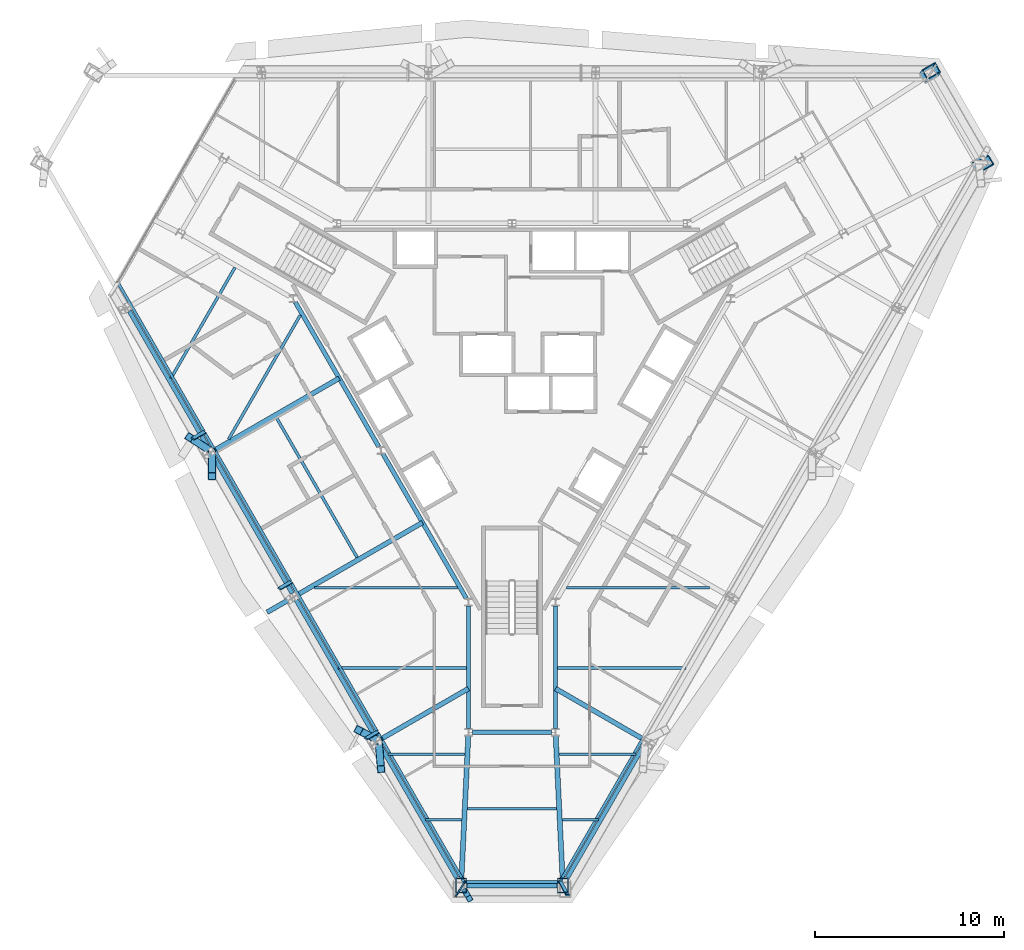
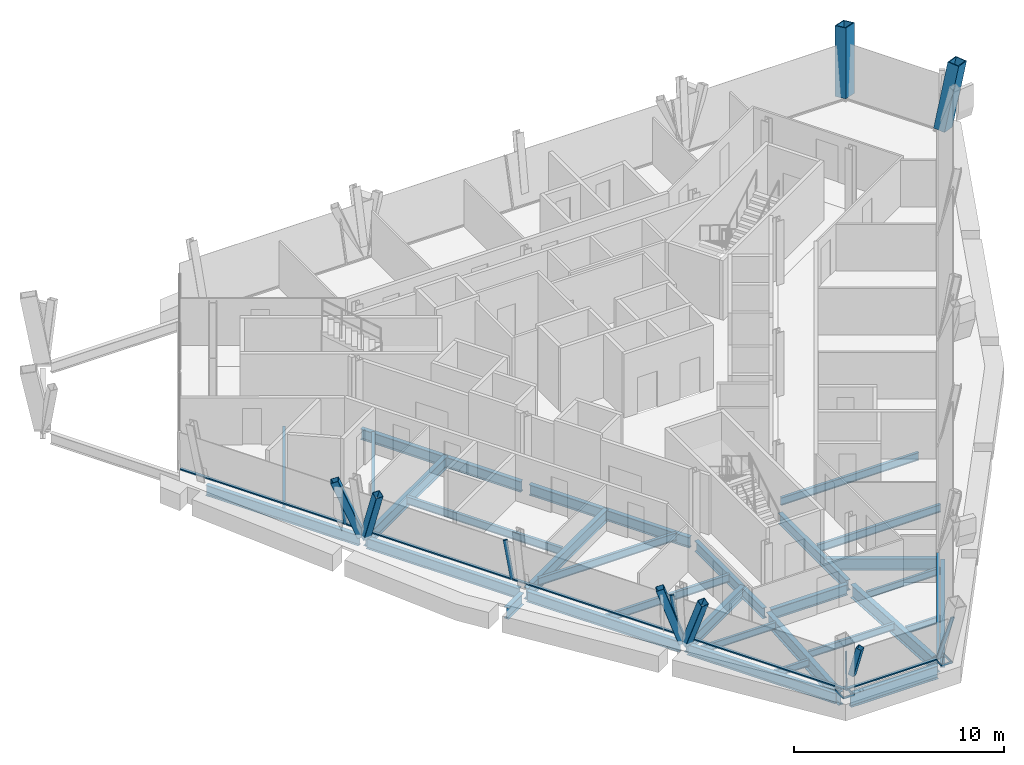
# One storey, part 2 of 11: 30 beams, 18 members, 2 columns, 3 elements without a shape of their own.
"""IFC4 building model written with IfcOpenShell, lengths in metres."""

from ifc_helpers import new_model, si_unit, direction, frame, origin, origin_2d, place, context, subcontext, project, spatial, rectangle, hollow_rectangle, i_section, extrude, material, material_profile, profile_set, type_object, element, aggregate, save


model = new_model("IFC4")

# Units and contexts
model_context = context("Model", 3, precision=1e-05, world=origin(), true_north=direction((0.0, 1.0)))
body_context = subcontext(model_context, "Body", "Model", "MODEL_VIEW")
ifc_project = project(units=[si_unit("LENGTHUNIT", "METRE"), si_unit("AREAUNIT", "SQUARE_METRE"), si_unit("VOLUMEUNIT", "CUBIC_METRE"), si_unit("PLANEANGLEUNIT", "RADIAN"), si_unit("MASSUNIT", "GRAM", prefix="KILO")], contexts=[model_context])

# Site, building, storey
site_placement = place(None, origin())
site = spatial("IfcSite", under=ifc_project, at=site_placement, CompositionType="ELEMENT")
building_placement = place(site_placement, origin())
building = spatial("IfcBuilding", under=site, at=building_placement, Name="Verrane Prism Tower", CompositionType="ELEMENT")
storey_placement = place(building_placement, frame((0.0, 0.0, 232.300048828125)))
storey = spatial("IfcBuildingStorey", under=building, at=storey_placement, Name="L58", CompositionType="ELEMENT", Elevation=232.300048828125)

# Columns
ifc_material_1 = material(Name="Steel A572 Grade 50", Category="steel")
ifc_material_profile_1 = material_profile(ifc_material_1, hollow_rectangle(XDim=0.60009765625, YDim=0.800048828125, WallThickness=0.050048828125, at=origin_2d()), Name="BOX 800x600x50")
ifc_profile_set_1 = profile_set([ifc_material_profile_1], Name="Steel A572 Grade 50")
column_type = type_object("IfcColumnType", Name="Megacolumn BOX 800x600x50", PredefinedType="COLUMN", material=ifc_profile_set_1)
column_1_placement = place(storey_placement, frame((22.037109375, 15.84228515625, 0.06494140625), z_axis=(0.105639145209, 0.18481839067, 0.977078570776), x_axis=(0.496911060929, -0.860913522908, 0.109120592015)))
element("IfcColumn", 1, at=column_1_placement, inside=storey, type_object=column_type, Name="Megacolumn MC-NE.b L58", PredefinedType="COLUMN", context=body_context, shape_type="SweptSolid", body=[
    extrude(hollow_rectangle(XDim=0.60009765625, YDim=0.800048828125, WallThickness=0.050048828125, at=origin_2d()), origin(), (0.0, 0.0, 1.0), 3.65380859375),
])
column_2_placement = place(storey_placement, frame((24.734130859375, 11.159912109375, 0.06494140625), z_axis=(0.213902075885, 0.0, 0.976855107952), x_axis=(0.497026354192, -0.860883256594, -0.108833918219)))
element("IfcColumn", 2, at=column_2_placement, inside=storey, type_object=column_type, Name="Megacolumn MC-NE.a L58", PredefinedType="COLUMN", context=body_context, shape_type="SweptSolid", body=[
    extrude(hollow_rectangle(XDim=0.60009765625, YDim=0.800048828125, WallThickness=0.050048828125, at=origin_2d()), origin(), (0.0, 0.0, 1.0), 3.654541015625),
])

# Member
ifc_material_2 = material(Name="Steel A500 Grade C", Category="steel")
ifc_material_profile_2 = material_profile(ifc_material_2, hollow_rectangle(XDim=0.3046875, YDim=0.3046875, WallThickness=0.0126953125, InnerFilletRadius=0.00634765625, OuterFilletRadius=0.01904296875, at=origin_2d()), Name="HSS12x12x1/2")
ifc_profile_set_2 = profile_set([ifc_material_profile_2], Name="Steel A500 Grade C")
member_type_1 = type_object("IfcMemberType", Name="Chamfer brace HSS12x12x1/2", PredefinedType="BRACE", material=ifc_profile_set_2)
member_1_placement = place(storey_placement, frame((-2.470703125, -27.3125, 1.16650390625), z_axis=(0.124571585122, -0.215181754859, 0.968596269122), x_axis=(0.865439060545, 0.501014203873, 0.0)))
element("IfcMember", 3, at=member_1_placement, inside=storey, type_object=member_type_1, Name="Chamfer brace S0 L58", PredefinedType="BRACE", context=body_context, shape_type="SweptSolid", body=[
    extrude(hollow_rectangle(XDim=0.3046875, YDim=0.3046875, WallThickness=0.0126953125, InnerFilletRadius=0.00634765625, OuterFilletRadius=0.01904296875, at=origin_2d()), origin(), (0.0, 0.0, 1.0), 1.754150390625),
])

# Beams
ifc_material_3 = material(Name="Steel A992", Category="steel")
ifc_material_profile_3 = material_profile(ifc_material_3, i_section(OverallWidth=0.2666015625, OverallDepth=0.7568359375, WebThickness=0.013916015625, FlangeThickness=0.019287109375, FilletRadius=0.0166015625, at=origin_2d()), Name="W30x108")
ifc_profile_set_3 = profile_set([ifc_material_profile_3], Name="Steel A992")
beam_type_1 = type_object("IfcBeamType", Name="Chamfer spandrel beam W30x108", PredefinedType="SPANDREL", material=ifc_profile_set_3)
beam_1_placement = place(storey_placement, frame((-2.389892578125, -26.989990234375, -0.53857421875), z_axis=(1.0, 0.0, 0.0), x_axis=(0.0, 1.0, 0.0)))
element("IfcBeam", 4, at=beam_1_placement, inside=storey, type_object=beam_type_1, Name="Chamfer spandrel beam L58", PredefinedType="SPANDREL", context=body_context, shape_type="SweptSolid", body=[
    extrude(i_section(OverallWidth=0.2666015625, OverallDepth=0.7568359375, WebThickness=0.013916015625, FlangeThickness=0.019287109375, FilletRadius=0.0166015625, at=origin_2d()), origin(), (0.0, 0.0, 1.0), 4.77978515625),
])
ifc_material_4 = material(Name="Steel A992", Category="steel")
ifc_material_profile_4 = material_profile(ifc_material_4, i_section(OverallWidth=0.23046875, OverallDepth=0.6171875, WebThickness=0.01318359375, FlangeThickness=0.022216796875, FilletRadius=0.012939453125, at=origin_2d()), Name="W24x94")
ifc_profile_set_4 = profile_set([ifc_material_profile_4], Name="Steel A992")
beam_type_2 = type_object("IfcBeamType", Name="Core ring girder W24x94", PredefinedType="BEAM", material=ifc_profile_set_4)
beam_2_placement = place(storey_placement, frame((-11.448486328125, 3.826904296875, -0.55859375), z_axis=(0.499967007444, -0.866044451208, 0.0), x_axis=(0.866044451208, 0.499967007444, 0.0)))
element("IfcBeam", 5, at=beam_2_placement, inside=storey, type_object=beam_type_2, Name="Core ring girder L58", PredefinedType="BEAM", context=body_context, shape_type="SweptSolid", body=[
    extrude(i_section(OverallWidth=0.23046875, OverallDepth=0.6171875, WebThickness=0.01318359375, FlangeThickness=0.022216796875, FilletRadius=0.012939453125, at=origin_2d()), origin(), (0.0, 0.0, 1.0), 8.814453125),
])
beam_3_placement = place(storey_placement, frame((-6.818603515625, -4.193115234375, -0.55859375), z_axis=(0.499987781028, -0.866032458297, 0.0), x_axis=(0.866032458297, 0.499987781028, 0.0)))
element("IfcBeam", 6, at=beam_3_placement, inside=storey, type_object=beam_type_2, Name="Core ring girder L58", PredefinedType="BEAM", context=body_context, shape_type="SweptSolid", body=[
    extrude(i_section(OverallWidth=0.23046875, OverallDepth=0.6171875, WebThickness=0.01318359375, FlangeThickness=0.022216796875, FilletRadius=0.012939453125, at=origin_2d()), origin(), (0.0, 0.0, 1.0), 8.814697265625),
])
beam_4_placement = place(storey_placement, frame((-2.300048828125, -12.212890625, -0.55859375), z_axis=(0.0, -1.0, 0.0), x_axis=(1.0, 0.0, 0.0)))
element("IfcBeam", 7, at=beam_4_placement, inside=storey, type_object=beam_type_2, Name="Core ring girder L58", PredefinedType="BEAM", context=body_context, shape_type="SweptSolid", body=[
    extrude(i_section(OverallWidth=0.23046875, OverallDepth=0.6171875, WebThickness=0.01318359375, FlangeThickness=0.022216796875, FilletRadius=0.012939453125, at=origin_2d()), origin(), (0.0, 0.0, 1.0), 6.48779296875),
])
beam_5_placement = place(storey_placement, frame((-2.099365234375, -18.89990234375, -0.55859375), z_axis=(1.0, 0.0, 0.0), x_axis=(0.0, 1.0, 0.0)))
element("IfcBeam", 8, at=beam_5_placement, inside=storey, type_object=beam_type_2, Name="Core ring girder L58", PredefinedType="BEAM", context=body_context, shape_type="SweptSolid", body=[
    extrude(i_section(OverallWidth=0.23046875, OverallDepth=0.6171875, WebThickness=0.01318359375, FlangeThickness=0.022216796875, FilletRadius=0.012939453125, at=origin_2d()), origin(), (0.0, 0.0, 1.0), 4.19873046875),
])
beam_6_placement = place(storey_placement, frame((2.300048828125, -18.70068359375, -0.55859375), z_axis=(0.0, 1.0, 0.0), x_axis=(-1.0, 0.0, 0.0)))
element("IfcBeam", 9, at=beam_6_placement, inside=storey, type_object=beam_type_2, Name="Core ring girder L58", PredefinedType="BEAM", context=body_context, shape_type="SweptSolid", body=[
    extrude(i_section(OverallWidth=0.23046875, OverallDepth=0.6171875, WebThickness=0.01318359375, FlangeThickness=0.022216796875, FilletRadius=0.012939453125, at=origin_2d()), origin(), (0.0, 0.0, 1.0), 6.48779296875),
])
ifc_material_5 = material(Name="Steel A992", Category="steel")
ifc_material_profile_5 = material_profile(ifc_material_5, i_section(OverallWidth=0.2666015625, OverallDepth=0.76708984375, WebThickness=0.014892578125, FlangeThickness=0.023681640625, FilletRadius=0.0166015625, at=origin_2d()), Name="W30x124")
ifc_profile_set_5 = profile_set([ifc_material_profile_5], Name="Steel A992")
beam_type_3 = type_object("IfcBeamType", Name="Corner girder W30x124", PredefinedType="BEAM", material=ifc_profile_set_5)
for number, where, z_axis, x_axis, name in (
    (10, (-2.670654296875, -26.590087890625, -0.603515625), (0.048148251624, 0.998840200365, 0.0), (-0.998840200365, 0.048148251624, 0.0), "Corner girder L58"),
    (11, (2.670654296875, -26.590087890625, -0.603515625), (-0.048148251624, 0.998840200365, 0.0), (-0.998840200365, -0.048148251624, 0.0), "Corner girder L58"),
):
    element("IfcBeam", number, at=place(storey_placement, frame(where, z_axis=z_axis, x_axis=x_axis)), inside=storey, type_object=beam_type_3, Name=name, PredefinedType="BEAM", context=body_context, shape_type="SweptSolid", body=[
        extrude(i_section(OverallWidth=0.2666015625, OverallDepth=0.76708984375, WebThickness=0.014892578125, FlangeThickness=0.023681640625, FilletRadius=0.0166015625, at=origin_2d()), origin(), (0.0, 0.0, 1.0), 7.49951171875),
    ])

# Members
ifc_material_6 = material(Name="Steel A500 Grade C", Category="steel")
ifc_material_profile_6 = material_profile(ifc_material_6, hollow_rectangle(XDim=0.406494140625, YDim=0.406494140625, WallThickness=0.01904296875, InnerFilletRadius=0.009521484375, OuterFilletRadius=0.028564453125, at=origin_2d()), Name="HSS16x16x3/4")
ifc_profile_set_6 = profile_set([ifc_material_profile_6], Name="Steel A500 Grade C")
member_type_2 = type_object("IfcMemberType", Name="Facade brace HSS16x16x3/4", PredefinedType="BRACE", material=ifc_profile_set_6)
member_2_placement = place(storey_placement, frame((-15.964111328125, -4.00634765625, -0.171630859375), z_axis=(-0.317897382719, 0.205525355036, 0.925581213345), x_axis=(-0.542929193659, -0.839778477143, 0.0)))
element("IfcMember", 12, at=member_2_placement, inside=storey, type_object=member_type_2, Name="Facade brace SW1 L58", PredefinedType="BRACE", context=body_context, shape_type="SweptSolid", body=[
    extrude(hollow_rectangle(XDim=0.406494140625, YDim=0.406494140625, WallThickness=0.01904296875, InnerFilletRadius=0.009521484375, OuterFilletRadius=0.028564453125, at=origin_2d()), origin(), (0.0, 0.0, 1.0), 3.404541015625),
])
member_3_placement = place(storey_placement, frame((-15.861572265625, -4.18408203125, -0.171630859375), z_axis=(0.002030465619, -0.352068235007, 0.935972133724), x_axis=(0.999983369827, 0.005767154347, 0.0)))
element("IfcMember", 13, at=member_3_placement, inside=storey, type_object=member_type_2, Name="Facade brace SW2 L58", PredefinedType="BRACE", context=body_context, shape_type="SweptSolid", body=[
    extrude(hollow_rectangle(XDim=0.406494140625, YDim=0.406494140625, WallThickness=0.01904296875, InnerFilletRadius=0.009521484375, OuterFilletRadius=0.028564453125, at=origin_2d()), origin(), (0.0, 0.0, 1.0), 3.36669921875),
])
member_4_placement = place(storey_placement, frame((-7.143310546875, -19.28515625, -0.171630859375), z_axis=(-0.290256496643, 0.150180644454, 0.945090969266), x_axis=(-0.459538726245, -0.888157733221, 0.0)))
element("IfcMember", 14, at=member_4_placement, inside=storey, type_object=member_type_2, Name="Facade brace SW3 L58", PredefinedType="BRACE", context=body_context, shape_type="SweptSolid", body=[
    extrude(hollow_rectangle(XDim=0.406494140625, YDim=0.406494140625, WallThickness=0.01904296875, InnerFilletRadius=0.009521484375, OuterFilletRadius=0.028564453125, at=origin_2d()), origin(), (0.0, 0.0, 1.0), 3.334228515625),
])
member_5_placement = place(storey_placement, frame((-7.04052734375, -19.462646484375, -0.171630859375), z_axis=(0.034948375627, -0.402012653514, 0.914966905115), x_axis=(0.996242565495, 0.086606874412, 0.0)))
element("IfcMember", 15, at=member_5_placement, inside=storey, type_object=member_type_2, Name="Facade brace SW4 L58", PredefinedType="BRACE", context=body_context, shape_type="SweptSolid", body=[
    extrude(hollow_rectangle(XDim=0.406494140625, YDim=0.406494140625, WallThickness=0.01904296875, InnerFilletRadius=0.009521484375, OuterFilletRadius=0.028564453125, at=origin_2d()), origin(), (0.0, 0.0, 1.0), 3.444091796875),
])

# Beams
ifc_material_7 = material(Name="Steel A992", Category="steel")
ifc_material_profile_7 = material_profile(ifc_material_7, i_section(OverallWidth=0.140380859375, OverallDepth=0.40380859375, WebThickness=0.007080078125, FlangeThickness=0.01123046875, FilletRadius=0.01025390625, at=origin_2d()), Name="W16x31")
ifc_profile_set_7 = profile_set([ifc_material_profile_7], Name="Steel A992")
beam_type_4 = type_object("IfcBeamType", Name="Floor beam W16x31", PredefinedType="BEAM", material=ifc_profile_set_7)
beam_7_placement = place(storey_placement, frame((-4.560791015625, -23.523193359375, -0.362060546875), z_axis=(1.0, 0.0, 0.0), x_axis=(0.0, 1.0, 0.0)))
element("IfcBeam", 16, at=beam_7_placement, inside=storey, type_object=beam_type_4, Name="Floor beam L58", PredefinedType="BEAM", context=body_context, shape_type="SweptSolid", body=[
    extrude(i_section(OverallWidth=0.140380859375, OverallDepth=0.40380859375, WebThickness=0.007080078125, FlangeThickness=0.01123046875, FilletRadius=0.01025390625, at=origin_2d()), origin(), (0.0, 0.0, 1.0), 1.904296875),
])
beam_8_placement = place(storey_placement, frame((-6.564453125, -20.056640625, -0.362060546875), z_axis=(1.0, 0.0, 0.0), x_axis=(0.0, 1.0, 0.0)))
element("IfcBeam", 17, at=beam_8_placement, inside=storey, type_object=beam_type_4, Name="Floor beam L58", PredefinedType="BEAM", context=body_context, shape_type="SweptSolid", body=[
    extrude(i_section(OverallWidth=0.140380859375, OverallDepth=0.40380859375, WebThickness=0.007080078125, FlangeThickness=0.01123046875, FilletRadius=0.01025390625, at=origin_2d()), origin(), (0.0, 0.0, 1.0), 4.074951171875),
])
beam_9_placement = place(storey_placement, frame((2.656494140625, -23.523193359375, -0.362060546875), z_axis=(1.0, 0.0, 0.0), x_axis=(0.0, 1.0, 0.0)))
element("IfcBeam", 18, at=beam_9_placement, inside=storey, type_object=beam_type_4, Name="Floor beam L58", PredefinedType="BEAM", context=body_context, shape_type="SweptSolid", body=[
    extrude(i_section(OverallWidth=0.140380859375, OverallDepth=0.40380859375, WebThickness=0.007080078125, FlangeThickness=0.01123046875, FilletRadius=0.01025390625, at=origin_2d()), origin(), (0.0, 0.0, 1.0), 1.904296875),
])
beam_10_placement = place(storey_placement, frame((2.489501953125, -20.056640625, -0.362060546875), z_axis=(1.0, 0.0, 0.0), x_axis=(0.0, 1.0, 0.0)))
element("IfcBeam", 19, at=beam_10_placement, inside=storey, type_object=beam_type_4, Name="Floor beam L58", PredefinedType="BEAM", context=body_context, shape_type="SweptSolid", body=[
    extrude(i_section(OverallWidth=0.140380859375, OverallDepth=0.40380859375, WebThickness=0.007080078125, FlangeThickness=0.01123046875, FilletRadius=0.01025390625, at=origin_2d()), origin(), (0.0, 0.0, 1.0), 4.074951171875),
])
beam_11_placement = place(storey_placement, frame((-2.361328125, -22.945068359375, -0.362060546875), z_axis=(1.0, 0.0, 0.0), x_axis=(0.0, 1.0, 0.0)))
element("IfcBeam", 20, at=beam_11_placement, inside=storey, type_object=beam_type_4, Name="Floor beam L58", PredefinedType="BEAM", context=body_context, shape_type="SweptSolid", body=[
    extrude(i_section(OverallWidth=0.140380859375, OverallDepth=0.40380859375, WebThickness=0.007080078125, FlangeThickness=0.01123046875, FilletRadius=0.01025390625, at=origin_2d()), origin(), (0.0, 0.0, 1.0), 4.72265625),
])
ifc_material_8 = material(Name="Steel A992", Category="steel")
ifc_material_profile_8 = material_profile(ifc_material_8, i_section(OverallWidth=0.15234375, OverallDepth=0.449462890625, WebThickness=0.007568359375, FlangeThickness=0.0107421875, FilletRadius=0.01025390625, at=origin_2d()), Name="W18x35")
ifc_profile_set_8 = profile_set([ifc_material_profile_8], Name="Steel A992")
beam_type_5 = type_object("IfcBeamType", Name="Floor beam W18x35", PredefinedType="BEAM", material=ifc_profile_set_8)
beam_12_placement = place(storey_placement, frame((-14.9755859375, -3.414306640625, -0.384765625), z_axis=(0.500014461485, 0.866017054281, 0.0), x_axis=(-0.866017054281, 0.500014461485, 0.0)))
element("IfcBeam", 21, at=beam_12_placement, inside=storey, type_object=beam_type_5, Name="Floor beam L58", PredefinedType="BEAM", context=body_context, shape_type="SweptSolid", body=[
    extrude(i_section(OverallWidth=0.15234375, OverallDepth=0.449462890625, WebThickness=0.007568359375, FlangeThickness=0.0107421875, FilletRadius=0.01025390625, at=origin_2d()), origin(), (0.0, 0.0, 1.0), 7.574951171875),
])
beam_13_placement = place(storey_placement, frame((-18.029541015625, -0.203125, -0.384765625), z_axis=(0.500004319728, 0.866022909774, 0.0), x_axis=(-0.866022909774, 0.500004319728, 0.0)))
element("IfcBeam", 22, at=beam_13_placement, inside=storey, type_object=beam_type_5, Name="Floor beam L58", PredefinedType="BEAM", context=body_context, shape_type="SweptSolid", body=[
    extrude(i_section(OverallWidth=0.15234375, OverallDepth=0.449462890625, WebThickness=0.007568359375, FlangeThickness=0.0107421875, FilletRadius=0.01025390625, at=origin_2d()), origin(), (0.0, 0.0, 1.0), 6.77294921875),
])
beam_14_placement = place(storey_placement, frame((-8.18359375, -9.659912109375, -0.384765625), z_axis=(-0.500005905661, 0.866021994122, 0.0), x_axis=(-0.866021994122, -0.500005905661, 0.0)))
element("IfcBeam", 23, at=beam_14_placement, inside=storey, type_object=beam_type_5, Name="Floor beam L58", PredefinedType="BEAM", context=body_context, shape_type="SweptSolid", body=[
    extrude(i_section(OverallWidth=0.15234375, OverallDepth=0.449462890625, WebThickness=0.007568359375, FlangeThickness=0.0107421875, FilletRadius=0.01025390625, at=origin_2d()), origin(), (0.0, 0.0, 1.0), 8.54931640625),
])
beam_15_placement = place(storey_placement, frame((-9.1923828125, -15.510009765625, -0.384765625), z_axis=(1.0, 0.0, 0.0), x_axis=(0.0, 1.0, 0.0)))
element("IfcBeam", 24, at=beam_15_placement, inside=storey, type_object=beam_type_5, Name="Floor beam L58", PredefinedType="BEAM", context=body_context, shape_type="SweptSolid", body=[
    extrude(i_section(OverallWidth=0.15234375, OverallDepth=0.449462890625, WebThickness=0.007568359375, FlangeThickness=0.0107421875, FilletRadius=0.01025390625, at=origin_2d()), origin(), (0.0, 0.0, 1.0), 6.77734375),
])
beam_16_placement = place(storey_placement, frame((-10.443115234375, -11.260009765625, -0.384765625), z_axis=(1.0, 0.0, 0.0), x_axis=(0.0, 1.0, 0.0)))
element("IfcBeam", 25, at=beam_16_placement, inside=storey, type_object=beam_type_5, Name="Floor beam L58", PredefinedType="BEAM", context=body_context, shape_type="SweptSolid", body=[
    extrude(i_section(OverallWidth=0.15234375, OverallDepth=0.449462890625, WebThickness=0.007568359375, FlangeThickness=0.0107421875, FilletRadius=0.01025390625, at=origin_2d()), origin(), (0.0, 0.0, 1.0), 7.571533203125),
])
beam_17_placement = place(storey_placement, frame((2.4150390625, -15.510009765625, -0.384765625), z_axis=(1.0, 0.0, 0.0), x_axis=(0.0, 1.0, 0.0)))
element("IfcBeam", 26, at=beam_17_placement, inside=storey, type_object=beam_type_5, Name="Floor beam L58", PredefinedType="BEAM", context=body_context, shape_type="SweptSolid", body=[
    extrude(i_section(OverallWidth=0.15234375, OverallDepth=0.449462890625, WebThickness=0.007568359375, FlangeThickness=0.0107421875, FilletRadius=0.01025390625, at=origin_2d()), origin(), (0.0, 0.0, 1.0), 6.77734375),
])
beam_18_placement = place(storey_placement, frame((2.87158203125, -11.260009765625, -0.384765625), z_axis=(1.0, 0.0, 0.0), x_axis=(0.0, 1.0, 0.0)))
element("IfcBeam", 27, at=beam_18_placement, inside=storey, type_object=beam_type_5, Name="Floor beam L58", PredefinedType="BEAM", context=body_context, shape_type="SweptSolid", body=[
    extrude(i_section(OverallWidth=0.15234375, OverallDepth=0.449462890625, WebThickness=0.007568359375, FlangeThickness=0.0107421875, FilletRadius=0.01025390625, at=origin_2d()), origin(), (0.0, 0.0, 1.0), 7.571533203125),
])

# Members
ifc_material_9 = material(Name="Steel A572 Grade 50", Category="steel")
ifc_material_profile_9 = material_profile(ifc_material_9, hollow_rectangle(XDim=0.60009765625, YDim=0.800048828125, WallThickness=0.050048828125, at=origin_2d()), Name="BOX 800x600x50")
ifc_profile_set_9 = profile_set([ifc_material_profile_9], Name="Steel A572 Grade 50")
member_type_3 = type_object("IfcMemberType", Name="Kink node BOX 800x600x50", PredefinedType="COLLAR", material=ifc_profile_set_9)
for number, where, z_axis, x_axis, name in (
    (28, (-2.693603515625, -26.99609375, -0.06494140625), (0.0, 0.0, 1.0), (-1.0, 0.0, 0.0), "Kink node MC4 L58"),
    (29, (2.693603515625, -26.99609375, -0.06494140625), (0.0, 0.0, 1.0), (-1.0, 0.0, 0.0), "Kink node MC4 L58"),
):
    element("IfcMember", number, at=place(storey_placement, frame(where, z_axis=z_axis, x_axis=x_axis)), inside=storey, type_object=member_type_3, Name=name, PredefinedType="COLLAR", context=body_context, shape_type="SweptSolid", body=[
        extrude(hollow_rectangle(XDim=0.60009765625, YDim=0.800048828125, WallThickness=0.050048828125, at=origin_2d()), origin(), (0.0, 0.0, 1.0), 0.1298828125),
    ])

# Curtain wall, members
ifc_material_10 = material(Name="Aluminium framed insulated glazing", Category="aluminium")
curtain_wall_type = type_object("IfcCurtainWallType", Name="Curtain wall CW-A 8400 module", PredefinedType="NOTDEFINED", material=ifc_material_10)
curtain_wall_1_placement = place(storey_placement, origin())
curtain_wall_1 = element("IfcCurtainWall", 30, at=curtain_wall_1_placement, inside=storey, type_object=curtain_wall_type, Name="Glazed curtain wall south-west face L58", PredefinedType="NOTDEFINED")
ifc_material_11 = material(Name="Aluminium alloy 6063-T6", Category="aluminium")
ifc_material_profile_10 = material_profile(ifc_material_11, rectangle(XDim=0.199951171875, YDim=0.070068359375, at=origin_2d()), Name="Mullion 70x200 aluminium")
ifc_profile_set_10 = profile_set([ifc_material_profile_10], Name="Aluminium alloy 6063-T6")
member_type_4 = type_object("IfcMemberType", Name="Mullion 70x200 aluminium", PredefinedType="MULLION", material=ifc_profile_set_10)
member_6_placement = place(storey_placement, frame((-16.2626953125, -3.035888671875, 0.0), z_axis=(-0.216364904862, -0.124956614407, 0.968283053895), x_axis=(0.852359055491, -0.507815957029, 0.12492795648)))
member_6 = element("IfcMember", 31, at=member_6_placement, type_object=member_type_4, Name="CW57.4 mullion 2", PredefinedType="MULLION", context=body_context, shape_type="SweptSolid", body=[
    extrude(rectangle(XDim=0.199951171875, YDim=0.070068359375, at=origin_2d()), origin(), (0.0, 0.0, 1.0), 2.8017578125),
])
member_7_placement = place(storey_placement, frame((-11.686279296875, -10.962158203125, 0.0), z_axis=(-0.216447961734, -0.124954258103, 0.968264795004), x_axis=(0.852262590685, -0.507969135281, 0.124963331108)))
member_7 = element("IfcMember", 32, at=member_7_placement, type_object=member_type_4, Name="CW57.4 mullion 3", PredefinedType="MULLION", context=body_context, shape_type="SweptSolid", body=[
    extrude(rectangle(XDim=0.199951171875, YDim=0.070068359375, at=origin_2d()), origin(), (0.0, 0.0, 1.0), 2.8017578125),
])
member_8_placement = place(storey_placement, frame((-7.110107421875, -18.888427734375, 0.0), z_axis=(-0.216364904862, -0.124956614407, 0.968283053895), x_axis=(0.852359055491, -0.507815957029, 0.12492795648)))
member_8 = element("IfcMember", 33, at=member_8_placement, type_object=member_type_4, Name="CW57.4 mullion 4", PredefinedType="MULLION", context=body_context, shape_type="SweptSolid", body=[
    extrude(rectangle(XDim=0.199951171875, YDim=0.070068359375, at=origin_2d()), origin(), (0.0, 0.0, 1.0), 2.8017578125),
])

# Curtain wall, member
curtain_wall_2_placement = place(storey_placement, origin())
curtain_wall_2 = element("IfcCurtainWall", 34, at=curtain_wall_2_placement, inside=storey, type_object=curtain_wall_type, Name="Glazed curtain wall south corner L58", PredefinedType="NOTDEFINED")
member_9_placement = place(storey_placement, frame((-2.498779296875, -26.814697265625, 0.0), z_axis=(-0.154868622358, -0.246894501902, 0.956587065948), x_axis=(0.508310149189, 0.810357703098, 0.291446710842)))
member_9 = element("IfcMember", 35, at=member_9_placement, type_object=member_type_4, Name="CW57.5 mullion 1", PredefinedType="MULLION", context=body_context, shape_type="SweptSolid", body=[
    extrude(rectangle(XDim=0.199951171875, YDim=0.070068359375, at=origin_2d()), origin(), (0.0, 0.0, 1.0), 2.8359375),
])

curtain_wall_3_placement = place(storey_placement, origin())
curtain_wall_3 = element("IfcCurtainWall", 36, at=curtain_wall_3_placement, inside=storey, type_object=curtain_wall_type, Name="Glazed curtain wall south-east face L58", PredefinedType="NOTDEFINED")
member_10_placement = place(storey_placement, frame((2.551513671875, -26.784423828125, 0.0), z_axis=(0.136276012567, -0.257572855085, 0.956600790676), x_axis=(-0.989169003368, 0.017772769221, 0.145701103118)))
member_10 = element("IfcMember", 37, at=member_10_placement, type_object=member_type_4, Name="CW57.6 mullion 1", PredefinedType="MULLION", context=body_context, shape_type="SweptSolid", body=[
    extrude(rectangle(XDim=0.199951171875, YDim=0.070068359375, at=origin_2d()), origin(), (0.0, 0.0, 1.0), 2.8359375),
])

# Beams
ifc_material_12 = material(Name="Steel A992", Category="steel")
ifc_material_profile_11 = material_profile(ifc_material_12, i_section(OverallWidth=0.25390625, OverallDepth=0.683349609375, WebThickness=0.012451171875, FlangeThickness=0.01904296875, FilletRadius=0.01513671875, at=origin_2d()), Name="W27x94")
ifc_profile_set_11 = profile_set([ifc_material_profile_11], Name="Steel A992")
beam_type_6 = type_object("IfcBeamType", Name="Radial girder W27x94", PredefinedType="BEAM", material=ifc_profile_set_11)
beam_19_placement = place(storey_placement, frame((-15.7373046875, -4.000244140625, -0.561767578125), z_axis=(0.86603047963, 0.499991208275, 0.0), x_axis=(-0.499991208275, 0.86603047963, 0.0)))
element("IfcBeam", 38, at=beam_19_placement, inside=storey, type_object=beam_type_6, Name="Radial girder L58", PredefinedType="BEAM", context=body_context, shape_type="SweptSolid", body=[
    extrude(i_section(OverallWidth=0.25390625, OverallDepth=0.683349609375, WebThickness=0.012451171875, FlangeThickness=0.01904296875, FilletRadius=0.01513671875, at=origin_2d()), origin(), (0.0, 0.0, 1.0), 7.627685546875),
])
beam_20_placement = place(storey_placement, frame((-11.33740234375, -11.63037109375, -0.561767578125), z_axis=(0.866033767766, 0.499985512879, 0.0), x_axis=(-0.499985512879, 0.866033767766, 0.0)))
element("IfcBeam", 39, at=beam_20_placement, inside=storey, type_object=beam_type_6, Name="Radial girder L58", PredefinedType="BEAM", context=body_context, shape_type="SweptSolid", body=[
    extrude(i_section(OverallWidth=0.25390625, OverallDepth=0.683349609375, WebThickness=0.012451171875, FlangeThickness=0.01904296875, FilletRadius=0.01513671875, at=origin_2d()), origin(), (0.0, 0.0, 1.0), 7.632080078125),
])
for number, where, z_axis, x_axis, name in (
    (40, (-6.92724609375, -19.26025390625, -0.561767578125), (0.866015899669, 0.50001646125, 0.0), (-0.50001646125, 0.866015899669, 0.0), "Radial girder L58"),
    (41, (6.92724609375, -19.26025390625, -0.561767578125), (-0.866015899669, 0.50001646125, 0.0), (-0.50001646125, -0.866015899669, 0.0), "Radial girder L58"),
):
    element("IfcBeam", number, at=place(storey_placement, frame(where, z_axis=z_axis, x_axis=x_axis)), inside=storey, type_object=beam_type_6, Name=name, PredefinedType="BEAM", context=body_context, shape_type="SweptSolid", body=[
        extrude(i_section(OverallWidth=0.25390625, OverallDepth=0.683349609375, WebThickness=0.012451171875, FlangeThickness=0.01904296875, FilletRadius=0.01513671875, at=origin_2d()), origin(), (0.0, 0.0, 1.0), 5.343017578125),
    ])
beam_21_placement = place(storey_placement, frame((-11.67919921875, -11.82763671875, -0.561767578125), z_axis=(-0.865987565159, -0.500065532695, 0.0), x_axis=(0.500065532695, -0.865987565159, 0.0)))
element("IfcBeam", 42, at=beam_21_placement, inside=storey, type_object=beam_type_6, Name="Cantilever girder L58", PredefinedType="BEAM", context=body_context, shape_type="SweptSolid", body=[
    extrude(i_section(OverallWidth=0.25390625, OverallDepth=0.683349609375, WebThickness=0.012451171875, FlangeThickness=0.01904296875, FilletRadius=0.01513671875, at=origin_2d()), origin(), (0.0, 0.0, 1.0), 1.457763671875),
])
ifc_material_13 = material(Name="Steel A992", Category="steel")
ifc_material_profile_12 = material_profile(ifc_material_13, i_section(OverallWidth=0.23046875, OverallDepth=0.6171875, WebThickness=0.01318359375, FlangeThickness=0.022216796875, FilletRadius=0.012939453125, at=origin_2d()), Name="W24x94")
ifc_profile_set_12 = profile_set([ifc_material_profile_12], Name="Steel A992")
beam_type_7 = type_object("IfcBeamType", Name="Spandrel beam W24x94", PredefinedType="SPANDREL", material=ifc_profile_set_12)
beam_22_placement = place(storey_placement, frame((-20.219482421875, 3.356201171875, -0.46875), z_axis=(0.500396552915, -0.865796332766, 0.0), x_axis=(0.865796332766, 0.500396552915, 0.0)))
element("IfcBeam", 43, at=beam_22_placement, inside=storey, type_object=beam_type_7, Name="Spandrel beam L58", PredefinedType="SPANDREL", context=body_context, shape_type="SweptSolid", body=[
    extrude(i_section(OverallWidth=0.23046875, OverallDepth=0.6171875, WebThickness=0.01318359375, FlangeThickness=0.022216796875, FilletRadius=0.012939453125, at=origin_2d()), origin(), (0.0, 0.0, 1.0), 8.411376953125),
])
beam_23_placement = place(storey_placement, frame((-15.809814453125, -4.273681640625, -0.46875), z_axis=(0.499569084189, -0.866274050242, 0.0), x_axis=(0.866274050242, 0.499569084189, 0.0)))
element("IfcBeam", 44, at=beam_23_placement, inside=storey, type_object=beam_type_7, Name="Spandrel beam L58", PredefinedType="SPANDREL", context=body_context, shape_type="SweptSolid", body=[
    extrude(i_section(OverallWidth=0.23046875, OverallDepth=0.6171875, WebThickness=0.01318359375, FlangeThickness=0.022216796875, FilletRadius=0.012939453125, at=origin_2d()), origin(), (0.0, 0.0, 1.0), 8.40673828125),
])
beam_24_placement = place(storey_placement, frame((-11.40966796875, -11.90380859375, -0.46875), z_axis=(0.500418309917, -0.865783757701, 0.0), x_axis=(0.865783757701, 0.500418309917, 0.0)))
element("IfcBeam", 45, at=beam_24_placement, inside=storey, type_object=beam_type_7, Name="Spandrel beam L58", PredefinedType="SPANDREL", context=body_context, shape_type="SweptSolid", body=[
    extrude(i_section(OverallWidth=0.23046875, OverallDepth=0.6171875, WebThickness=0.01318359375, FlangeThickness=0.022216796875, FilletRadius=0.012939453125, at=origin_2d()), origin(), (0.0, 0.0, 1.0), 8.411376953125),
])
for number, where, z_axis, x_axis, name in (
    (46, (-6.99951171875, -19.53369140625, -0.46875), (0.500400862537, -0.865793841958, 0.0), (0.865793841958, 0.500400862537, 0.0), "Spandrel beam L58"),
    (47, (2.921142578125, -26.590087890625, -0.46875), (0.500400862537, 0.865793841958, 0.0), (-0.865793841958, 0.500400862537, 0.0), "Spandrel beam L58"),
):
    element("IfcBeam", number, at=place(storey_placement, frame(where, z_axis=z_axis, x_axis=x_axis)), inside=storey, type_object=beam_type_7, Name=name, PredefinedType="SPANDREL", context=body_context, shape_type="SweptSolid", body=[
        extrude(i_section(OverallWidth=0.23046875, OverallDepth=0.6171875, WebThickness=0.01318359375, FlangeThickness=0.022216796875, FilletRadius=0.012939453125, at=origin_2d()), origin(), (0.0, 0.0, 1.0), 8.150146484375),
    ])

# Member
ifc_material_14 = material(Name="Aluminium alloy 6063-T6", Category="aluminium")
ifc_material_profile_13 = material_profile(ifc_material_14, rectangle(XDim=0.14990234375, YDim=0.070068359375, at=origin_2d()), Name="Transom 70x150 aluminium")
ifc_profile_set_13 = profile_set([ifc_material_profile_13], Name="Aluminium alloy 6063-T6")
member_type_5 = type_object("IfcMemberType", Name="Transom 70x150 aluminium", PredefinedType="USERDEFINED", material=ifc_profile_set_13)
member_11_placement = place(storey_placement, frame((-20.8037109375, 4.82958984375, 0.034912109375), z_axis=(0.500001979557, -0.866024260884, 0.0), x_axis=(0.866024260884, 0.500001979557, 0.0)))
member_11 = element("IfcMember", 48, at=member_11_placement, type_object=member_type_5, Name="CW57.4 transom 1", ObjectType="TRANSOM", PredefinedType="USERDEFINED", context=body_context, shape_type="SweptSolid", body=[
    extrude(rectangle(XDim=0.14990234375, YDim=0.070068359375, at=origin_2d()), origin(), (0.0, 0.0, 1.0), 9.04736328125),
])

member_12_placement = place(storey_placement, frame((-16.2451171875, -3.066162109375, 0.034912109375), z_axis=(0.499998569178, -0.866026229868, 0.0), x_axis=(0.866026229868, 0.499998569178, 0.0)))
member_12 = element("IfcMember", 49, at=member_12_placement, type_object=member_type_5, Name="CW57.4 transom 2", ObjectType="TRANSOM", PredefinedType="USERDEFINED", context=body_context, shape_type="SweptSolid", body=[
    extrude(rectangle(XDim=0.14990234375, YDim=0.070068359375, at=origin_2d()), origin(), (0.0, 0.0, 1.0), 9.08251953125),
])

member_13_placement = place(storey_placement, frame((-11.6689453125, -10.992431640625, 0.034912109375), z_axis=(0.499998569178, -0.866026229868, 0.0), x_axis=(0.866026229868, 0.499998569178, 0.0)))
member_13 = element("IfcMember", 50, at=member_13_placement, type_object=member_type_5, Name="CW57.4 transom 3", ObjectType="TRANSOM", PredefinedType="USERDEFINED", context=body_context, shape_type="SweptSolid", body=[
    extrude(rectangle(XDim=0.14990234375, YDim=0.070068359375, at=origin_2d()), origin(), (0.0, 0.0, 1.0), 9.08251953125),
])

member_14_placement = place(storey_placement, frame((-7.092529296875, -18.918701171875, 0.034912109375), z_axis=(0.49998669683, -0.866033084237, 0.0), x_axis=(0.866033084237, 0.49998669683, 0.0)))
member_14 = element("IfcMember", 51, at=member_14_placement, type_object=member_type_5, Name="CW57.4 transom 4", ObjectType="TRANSOM", PredefinedType="USERDEFINED", context=body_context, shape_type="SweptSolid", body=[
    extrude(rectangle(XDim=0.14990234375, YDim=0.070068359375, at=origin_2d()), origin(), (0.0, 0.0, 1.0), 9.117431640625),
])

aggregate(curtain_wall_1, [member_6, member_7, member_8, member_11, member_12, member_13, member_14])

member_15_placement = place(storey_placement, frame((-2.4638671875, -26.814697265625, 0.034912109375), z_axis=(1.0, 0.0, 0.0), x_axis=(0.0, 1.0, 0.0)))
member_15 = element("IfcMember", 52, at=member_15_placement, type_object=member_type_5, Name="CW57.5 transom 1", ObjectType="TRANSOM", PredefinedType="USERDEFINED", context=body_context, shape_type="SweptSolid", body=[
    extrude(rectangle(XDim=0.14990234375, YDim=0.070068359375, at=origin_2d()), origin(), (0.0, 0.0, 1.0), 4.997802734375),
])

aggregate(curtain_wall_2, [member_9, member_15])

member_16_placement = place(storey_placement, frame((2.56884765625, -26.754150390625, 0.034912109375), z_axis=(0.500003349176, 0.866023470128, 0.0), x_axis=(-0.866023470128, 0.500003349176, 0.0)))
member_16 = element("IfcMember", 53, at=member_16_placement, type_object=member_type_5, Name="CW57.6 transom 1", ObjectType="TRANSOM", PredefinedType="USERDEFINED", context=body_context, shape_type="SweptSolid", body=[
    extrude(rectangle(XDim=0.14990234375, YDim=0.070068359375, at=origin_2d()), origin(), (0.0, 0.0, 1.0), 8.67724609375),
])

aggregate(curtain_wall_3, [member_10, member_16])

save(model, "model.ifc")
